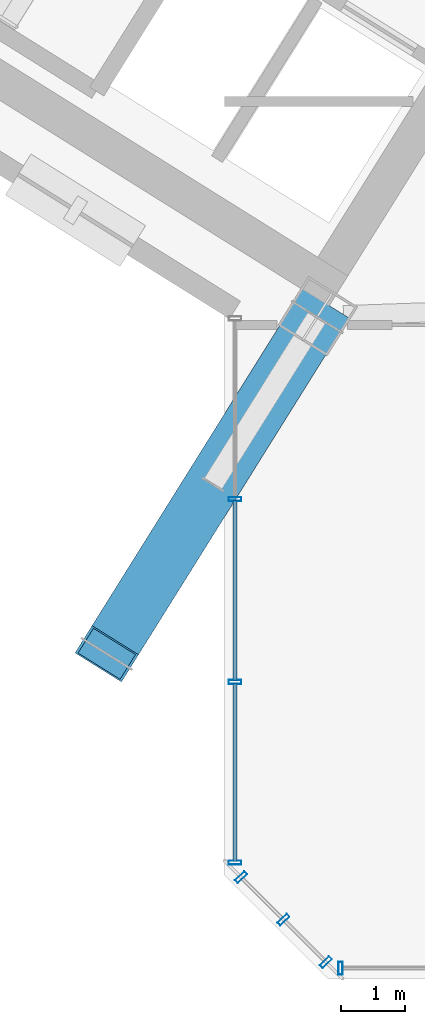
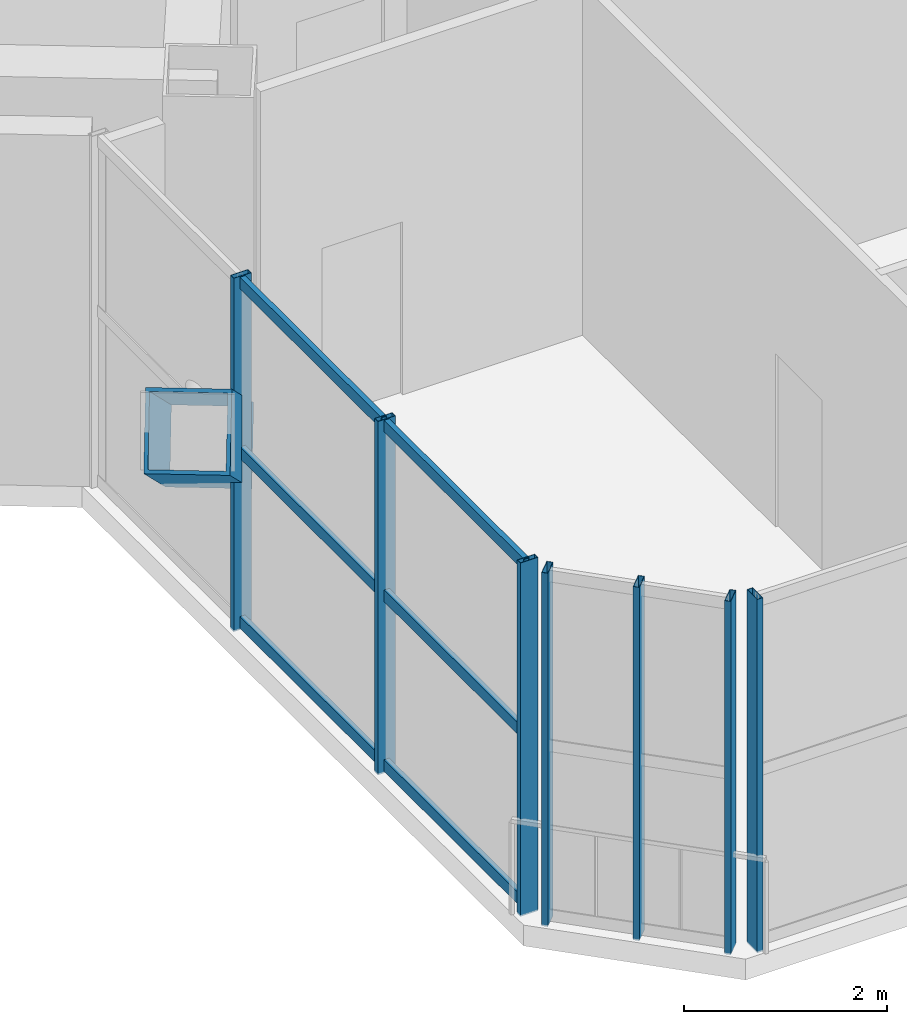
# One storey, part 4 of 32: 14 members, 3 elements without a shape of their own.
"""IFC4 building model written with IfcOpenShell, lengths in metres."""

from ifc_helpers import new_model, si_unit, direction, frame, origin, origin_2d, place, context, subcontext, project, spatial, hollow_rectangle, extrude, source, transform, mapped, material, material_profile, profile_set, type_object, element, aggregate, save


model = new_model("IFC4")

# Units and contexts
model_context = context("Model", 3, precision=1e-05, world=origin(), true_north=direction((0.0, 1.0)))
body_context = subcontext(model_context, "Body", "Model", "MODEL_VIEW")
ifc_project = project(units=[si_unit("LENGTHUNIT", "METRE"), si_unit("AREAUNIT", "SQUARE_METRE"), si_unit("VOLUMEUNIT", "CUBIC_METRE"), si_unit("PLANEANGLEUNIT", "RADIAN"), si_unit("MASSUNIT", "GRAM", prefix="KILO")], contexts=[model_context])

# Site, building, storey
site_placement = place(None, origin())
site = spatial("IfcSite", under=ifc_project, at=site_placement, CompositionType="ELEMENT")
building_placement = place(site_placement, origin())
building = spatial("IfcBuilding", under=site, at=building_placement, Name="Tlacorven Tower", CompositionType="ELEMENT")
storey_placement = place(building_placement, frame((0.0, 0.0, 123.300048828125)))
storey = spatial("IfcBuildingStorey", under=building, at=storey_placement, Name="L31", CompositionType="ELEMENT", Elevation=123.300048828125)

# Member
ifc_material_1 = material(Name="Steel S460M", Category="steel")
ifc_material_profile_1 = material_profile(ifc_material_1, hollow_rectangle(XDim=0.85009765625, YDim=0.85009765625, WallThickness=0.0400390625, at=origin_2d()), Name="BOX 850X850X40")
ifc_profile_set_1 = profile_set([ifc_material_profile_1], Name="Steel S460M")
member_type_1 = type_object("IfcMemberType", Name="MB-RAK-EXT", PredefinedType="STRUT", material=ifc_profile_set_1)
shared_shape_1 = source(origin(), body_context, "Body", "SweptSolid", [
    extrude(hollow_rectangle(XDim=0.85009765625, YDim=0.85009765625, WallThickness=0.0400390625, at=origin_2d()), origin(), (0.0, 0.0, 1.0), 7.62109375),
])
member_1_placement = place(storey_placement, frame((33.03759765625, 12.0732421875, 0.01171875), z_axis=(-0.428857238409, -0.686325351137, 0.587400188501), x_axis=(0.848051671646, -0.529913542211, 0.0)))
element("IfcMember", 1, at=member_1_placement, inside=storey, type_object=member_type_1, Name="L31 Block-Shift Raking Transfer Strut W1", PredefinedType="STRUT", context=body_context, shape_type="MappedRepresentation", body=[
    mapped(shared_shape_1, transform((0.0, 0.0, 0.0), scale=1.0)),
])

# Curtain wall, members
ifc_material_2 = material(Name="Dark solar low-E double glazing in aluminium frame", Category="aluminium")
curtain_wall_type = type_object("IfcCurtainWallType", Name="CW-TWR-MID", PredefinedType="USERDEFINED", material=ifc_material_2)
curtain_wall_1_placement = place(storey_placement, origin())
curtain_wall_1 = element("IfcCurtainWall", 2, at=curtain_wall_1_placement, inside=storey, type_object=curtain_wall_type, Name="L31 CW-TWR-MID Curtain Wall 154", ObjectType="UNITISED CURTAIN WALL", PredefinedType="USERDEFINED")
ifc_material_3 = material(Name="Aluminium 6063-T6 anodised", Category="aluminium")
ifc_material_profile_2 = material_profile(ifc_material_3, hollow_rectangle(XDim=0.06005859375, YDim=0.139892578125, WallThickness=0.00390625, at=origin_2d()), Name="ALU TRANSOM 60X140")
ifc_profile_set_2 = profile_set([ifc_material_profile_2], Name="Aluminium 6063-T6 anodised")
member_type_2 = type_object("IfcMemberType", Name="CWT-02", PredefinedType="USERDEFINED", material=ifc_profile_set_2)
shared_shape_2 = source(origin(), body_context, "Body", "SweptSolid", [
    extrude(hollow_rectangle(XDim=0.06005859375, YDim=0.139892578125, WallThickness=0.00390625, at=origin_2d()), origin(), (0.0, 0.0, 1.0), 2.765380859375),
])
member_2_placement = place(storey_placement, frame((31.760009765625, 3.619384765625, 0.070068359375), z_axis=(0.0, 1.0, 0.0), x_axis=(-1.0, 0.0, 0.0)))
member_2 = element("IfcMember", 3, at=member_2_placement, type_object=member_type_2, Name="CW-L31-154 Transom 1", ObjectType="TRANSOM", PredefinedType="USERDEFINED", context=body_context, shape_type="MappedRepresentation", body=[
    mapped(shared_shape_2, transform((0.0, 0.0, 0.0), scale=1.0)),
])
member_3_placement = place(storey_placement, frame((31.760009765625, 3.619384765625, 2.10986328125), z_axis=(0.0, 1.0, 0.0), x_axis=(-1.0, 0.0, 0.0)))
member_3 = element("IfcMember", 4, at=member_3_placement, type_object=member_type_2, Name="CW-L31-154 Transom 2", ObjectType="TRANSOM", PredefinedType="USERDEFINED", context=body_context, shape_type="MappedRepresentation", body=[
    mapped(shared_shape_2, transform((0.0, 0.0, 0.0), scale=1.0)),
])
member_4_placement = place(storey_placement, frame((31.760009765625, 3.619384765625, 4.14990234375), z_axis=(0.0, 1.0, 0.0), x_axis=(-1.0, 0.0, 0.0)))
member_4 = element("IfcMember", 5, at=member_4_placement, type_object=member_type_2, Name="CW-L31-154 Transom 3", ObjectType="TRANSOM", PredefinedType="USERDEFINED", context=body_context, shape_type="MappedRepresentation", body=[
    mapped(shared_shape_2, transform((0.0, 0.0, 0.0), scale=1.0)),
])
shared_shape_3 = source(origin(), body_context, "Body", "SweptSolid", [
    extrude(hollow_rectangle(XDim=0.06005859375, YDim=0.139892578125, WallThickness=0.00390625, at=origin_2d()), origin(), (0.0, 0.0, 1.0), 2.7978515625),
])
member_5_placement = place(storey_placement, frame((31.760009765625, 6.42578125, 0.070068359375), z_axis=(0.0, 1.0, 0.0), x_axis=(-1.0, 0.0, 0.0)))
member_5 = element("IfcMember", 6, at=member_5_placement, type_object=member_type_2, Name="CW-L31-154 Transom 4", ObjectType="TRANSOM", PredefinedType="USERDEFINED", context=body_context, shape_type="MappedRepresentation", body=[
    mapped(shared_shape_3, transform((0.0, 0.0, 0.0), scale=1.0)),
])
member_6_placement = place(storey_placement, frame((31.760009765625, 6.42578125, 2.10986328125), z_axis=(0.0, 1.0, 0.0), x_axis=(-1.0, 0.0, 0.0)))
member_6 = element("IfcMember", 7, at=member_6_placement, type_object=member_type_2, Name="CW-L31-154 Transom 5", ObjectType="TRANSOM", PredefinedType="USERDEFINED", context=body_context, shape_type="MappedRepresentation", body=[
    mapped(shared_shape_3, transform((0.0, 0.0, 0.0), scale=1.0)),
])
member_7_placement = place(storey_placement, frame((31.760009765625, 6.42578125, 4.14990234375), z_axis=(0.0, 1.0, 0.0), x_axis=(-1.0, 0.0, 0.0)))
member_7 = element("IfcMember", 8, at=member_7_placement, type_object=member_type_2, Name="CW-L31-154 Transom 6", ObjectType="TRANSOM", PredefinedType="USERDEFINED", context=body_context, shape_type="MappedRepresentation", body=[
    mapped(shared_shape_3, transform((0.0, 0.0, 0.0), scale=1.0)),
])

# Curtain wall, member
curtain_wall_2_placement = place(storey_placement, origin())
curtain_wall_2 = element("IfcCurtainWall", 9, at=curtain_wall_2_placement, inside=storey, type_object=curtain_wall_type, Name="L31 CW-TWR-MID Curtain Wall 152", ObjectType="UNITISED CURTAIN WALL", PredefinedType="USERDEFINED")
ifc_material_profile_3 = material_profile(ifc_material_3, hollow_rectangle(XDim=0.06494140625, YDim=0.199951171875, WallThickness=0.00439453125, at=origin_2d()), Name="ALU MULLION 65X200")
ifc_profile_set_3 = profile_set([ifc_material_profile_3], Name="Aluminium 6063-T6 anodised")
member_type_3 = type_object("IfcMemberType", Name="CWM-02", PredefinedType="MULLION", material=ifc_profile_set_3)
shared_shape_4 = source(origin(), body_context, "Body", "SweptSolid", [
    extrude(hollow_rectangle(XDim=0.06494140625, YDim=0.199951171875, WallThickness=0.00439453125, at=origin_2d()), origin(), (0.0, 0.0, 1.0), 4.25),
])
member_8_placement = place(storey_placement, frame((33.398681640625, 1.9599609375, -0.02001953125), z_axis=(0.0, 0.0, 1.0), x_axis=(-1.0, 0.0, 0.0)))
member_8 = element("IfcMember", 10, at=member_8_placement, type_object=member_type_3, Name="CW-L31-152 Mullion 4", PredefinedType="MULLION", context=body_context, shape_type="MappedRepresentation", body=[
    mapped(shared_shape_4, transform((0.0, 0.0, 0.0), scale=1.0)),
])
aggregate(curtain_wall_2, [member_8])

# Curtain wall, members
curtain_wall_3_placement = place(storey_placement, origin())
curtain_wall_3 = element("IfcCurtainWall", 11, at=curtain_wall_3_placement, inside=storey, type_object=curtain_wall_type, Name="L31 CW-TWR-MID Curtain Wall 153", ObjectType="UNITISED CURTAIN WALL", PredefinedType="USERDEFINED")
member_9_placement = place(storey_placement, frame((33.172607421875, 2.0537109375, -0.02001953125), z_axis=(0.0, 0.0, 1.0), x_axis=(-0.707106781187, 0.707106781187, 0.0)))
member_9 = element("IfcMember", 12, at=member_9_placement, type_object=member_type_3, Name="CW-L31-153 Mullion 1", PredefinedType="MULLION", context=body_context, shape_type="MappedRepresentation", body=[
    mapped(shared_shape_4, transform((0.0, 0.0, 0.0), scale=1.0)),
])
member_10_placement = place(storey_placement, frame((32.51318359375, 2.713134765625, -0.02001953125), z_axis=(0.0, 0.0, 1.0), x_axis=(-0.707106781187, 0.707106781187, 0.0)))
member_10 = element("IfcMember", 13, at=member_10_placement, type_object=member_type_3, Name="CW-L31-153 Mullion 2", PredefinedType="MULLION", context=body_context, shape_type="MappedRepresentation", body=[
    mapped(shared_shape_4, transform((0.0, 0.0, 0.0), scale=1.0)),
])
member_11_placement = place(storey_placement, frame((31.853759765625, 3.37255859375, -0.02001953125), z_axis=(0.0, 0.0, 1.0), x_axis=(-0.707106781187, 0.707106781187, 0.0)))
member_11 = element("IfcMember", 14, at=member_11_placement, type_object=member_type_3, Name="CW-L31-153 Mullion 3", PredefinedType="MULLION", context=body_context, shape_type="MappedRepresentation", body=[
    mapped(shared_shape_4, transform((0.0, 0.0, 0.0), scale=1.0)),
])
aggregate(curtain_wall_3, [member_9, member_10, member_11])

# Member
member_12_placement = place(storey_placement, frame((31.760009765625, 3.598876953125, -0.02001953125), z_axis=(0.0, 0.0, 1.0), x_axis=(0.0, 1.0, 0.0)))
member_12 = element("IfcMember", 15, at=member_12_placement, type_object=member_type_3, Name="CW-L31-154 Mullion 1", PredefinedType="MULLION", context=body_context, shape_type="MappedRepresentation", body=[
    mapped(shared_shape_4, transform((0.0, 0.0, 0.0), scale=1.0)),
])

member_13_placement = place(storey_placement, frame((31.760009765625, 6.4052734375, -0.02001953125), z_axis=(0.0, 0.0, 1.0), x_axis=(0.0, 1.0, 0.0)))
member_13 = element("IfcMember", 16, at=member_13_placement, type_object=member_type_3, Name="CW-L31-154 Mullion 2", PredefinedType="MULLION", context=body_context, shape_type="MappedRepresentation", body=[
    mapped(shared_shape_4, transform((0.0, 0.0, 0.0), scale=1.0)),
])

member_14_placement = place(storey_placement, frame((31.760009765625, 9.244140625, -0.02001953125), z_axis=(0.0, 0.0, 1.0), x_axis=(0.0, 1.0, 0.0)))
member_14 = element("IfcMember", 17, at=member_14_placement, type_object=member_type_3, Name="CW-L31-154 Mullion 3", PredefinedType="MULLION", context=body_context, shape_type="MappedRepresentation", body=[
    mapped(shared_shape_4, transform((0.0, 0.0, 0.0), scale=1.0)),
])

aggregate(curtain_wall_1, [member_12, member_13, member_14, member_2, member_3, member_4, member_5, member_6, member_7])

save(model, "model.ifc")
